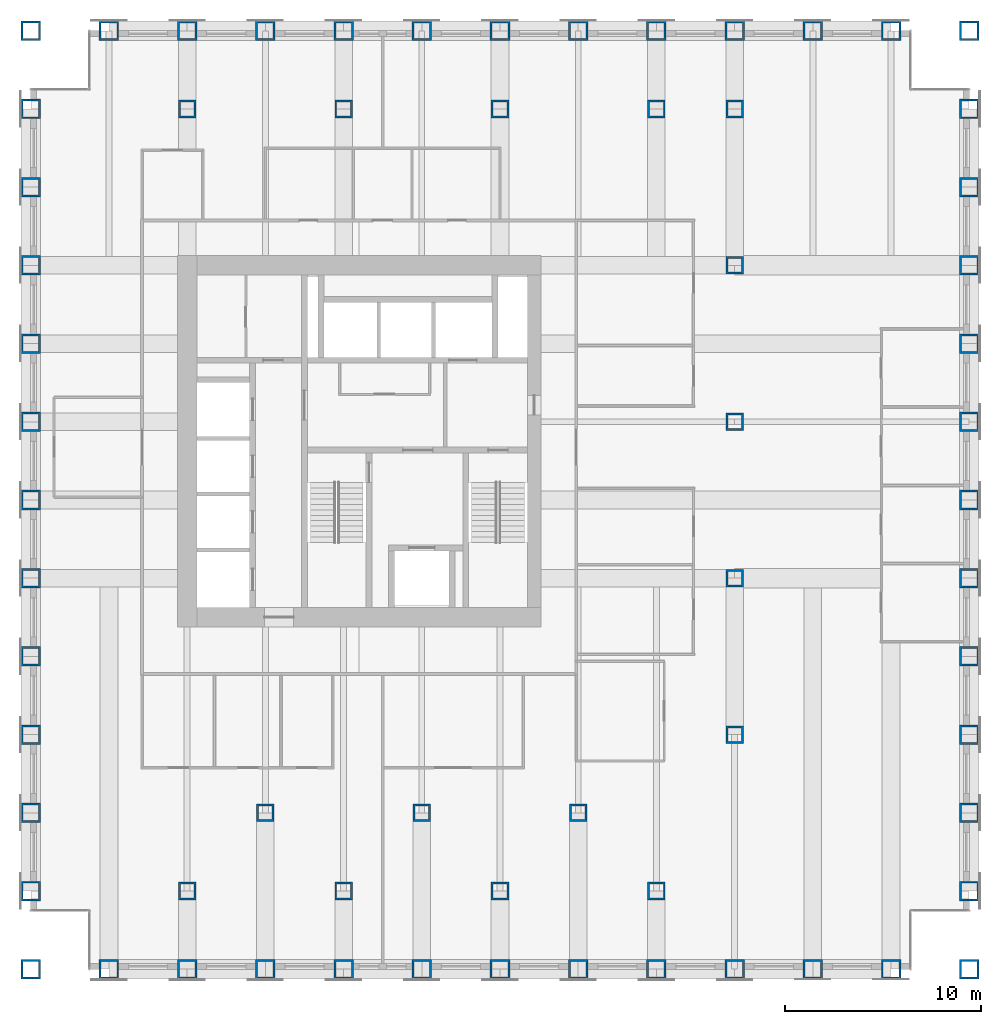
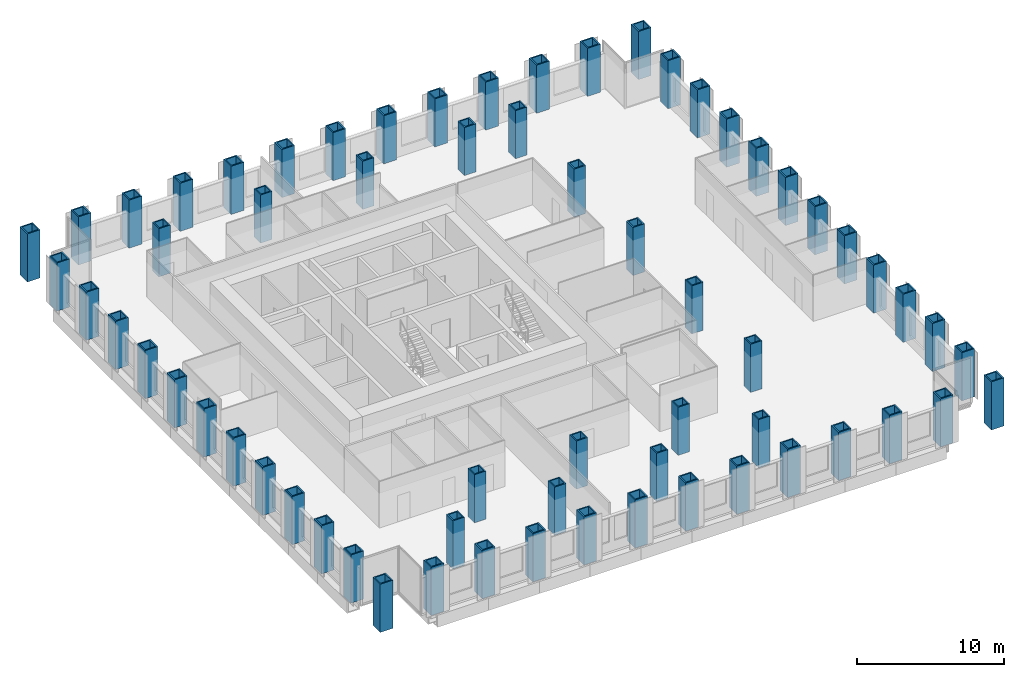
# One storey, part 1 of 16: 64 columns.
"""IFC4 building model written with IfcOpenShell, lengths in metres."""

from ifc_helpers import new_model, si_unit, direction, frame, origin, origin_2d, place, context, subcontext, project, spatial, hollow_rectangle, extrude, material, material_profile, profile_set, type_object, element, save


model = new_model("IFC4")

# Units and contexts
model_context = context("Model", 3, precision=1e-05, world=origin(), true_north=direction((0.0, 1.0)))
body_context = subcontext(model_context, "Body", "Model", "MODEL_VIEW")
ifc_project = project(units=[si_unit("LENGTHUNIT", "METRE"), si_unit("AREAUNIT", "SQUARE_METRE"), si_unit("VOLUMEUNIT", "CUBIC_METRE"), si_unit("PLANEANGLEUNIT", "RADIAN"), si_unit("MASSUNIT", "GRAM", prefix="KILO")], contexts=[model_context])

# Site, building, storey
site_placement = place(None, origin())
site = spatial("IfcSite", under=ifc_project, at=site_placement, CompositionType="ELEMENT")
building_placement = place(site_placement, origin())
building = spatial("IfcBuilding", under=site, at=building_placement, Name="Rimbunsela Tower", CompositionType="ELEMENT")
storey_placement = place(building_placement, frame((0.0, 0.0, 89.39990234375)))
storey = spatial("IfcBuildingStorey", under=building, at=storey_placement, Name="L21", CompositionType="ELEMENT", Elevation=89.39990234375)

# Columns
ifc_material_1 = material(Name="Steel BJ 55 (fy 410 MPa)", Category="steel")
ifc_material_profile_1 = material_profile(ifc_material_1, hollow_rectangle(XDim=1.0, YDim=1.0, WallThickness=0.10009765625, at=origin_2d()), Name="BOX 1000x1000x100")
ifc_profile_set_1 = profile_set([ifc_material_profile_1], Name="Steel BJ 55 (fy 410 MPa)")
column_type_1 = type_object("IfcColumnType", Name="Column BOX 1000x1000x100", PredefinedType="COLUMN", material=ifc_profile_set_1)
for number, where, z_axis, x_axis, name in (
    (1, (10.0, 0.0, 0.0), (0.0, 0.0, 1.0), (1.0, 0.0, 0.0), "Column C1 5/B L21"),
    (2, (10.0, 4.0, 0.0), (0.0, 0.0, 1.0), (1.0, 0.0, 0.0), "Column C1 5/C L21"),
    (3, (10.0, 8.0, 0.0), (0.0, 0.0, 1.0), (1.0, 0.0, 0.0), "Column C1 5/D L21"),
    (4, (10.0, 12.0, 0.0), (0.0, 0.0, 1.0), (1.0, 0.0, 0.0), "Column C1 5/E L21"),
    (5, (10.0, 16.0, 0.0), (0.0, 0.0, 1.0), (1.0, 0.0, 0.0), "Column C1 5/F L21"),
    (6, (10.0, 20.0, 0.0), (0.0, 0.0, 1.0), (1.0, 0.0, 0.0), "Column C1 5/G L21"),
    (7, (10.0, 24.0, 0.0), (0.0, 0.0, 1.0), (1.0, 0.0, 0.0), "Column C1 5/H L21"),
    (8, (10.0, 28.0, 0.0), (0.0, 0.0, 1.0), (1.0, 0.0, 0.0), "Column C1 5/J L21"),
    (9, (10.0, 32.0, 0.0), (0.0, 0.0, 1.0), (1.0, 0.0, 0.0), "Column C1 5/K L21"),
    (10, (10.0, 36.0, 0.0), (0.0, 0.0, 1.0), (1.0, 0.0, 0.0), "Column C1 5/L L21"),
    (11, (10.0, 40.0, 0.0), (0.0, 0.0, 1.0), (1.0, 0.0, 0.0), "Column C1 5/M L21"),
    (12, (10.0, 44.0, 0.0), (0.0, 0.0, 1.0), (1.0, 0.0, 0.0), "Column C1 5/N L21"),
    (13, (10.0, 48.0, 0.0), (0.0, 0.0, 1.0), (1.0, 0.0, 0.0), "Column C1 5/P L21"),
    (14, (14.0, 0.0, 0.0), (0.0, 0.0, 1.0), (1.0, 0.0, 0.0), "Column C1 6/B L21"),
    (15, (14.0, 48.0, 0.0), (0.0, 0.0, 1.0), (1.0, 0.0, 0.0), "Column C1 6/P L21"),
    (16, (18.0, 0.0, 0.0), (0.0, 0.0, 1.0), (1.0, 0.0, 0.0), "Column C1 7/B L21"),
    (17, (18.0, 48.0, 0.0), (0.0, 0.0, 1.0), (1.0, 0.0, 0.0), "Column C1 7/P L21"),
    (18, (22.0, 0.0, 0.0), (0.0, 0.0, 1.0), (1.0, 0.0, 0.0), "Column C1 8/B L21"),
    (19, (22.0, 48.0, 0.0), (0.0, 0.0, 1.0), (1.0, 0.0, 0.0), "Column C1 8/P L21"),
    (20, (26.0, 0.0, 0.0), (0.0, 0.0, 1.0), (1.0, 0.0, 0.0), "Column C1 9/B L21"),
    (21, (26.0, 48.0, 0.0), (0.0, 0.0, 1.0), (1.0, 0.0, 0.0), "Column C1 9/P L21"),
    (22, (30.0, 0.0, 0.0), (0.0, 0.0, 1.0), (1.0, 0.0, 0.0), "Column C1 10/B L21"),
    (23, (30.0, 48.0, 0.0), (0.0, 0.0, 1.0), (1.0, 0.0, 0.0), "Column C1 10/P L21"),
    (24, (34.0, 0.0, 0.0), (0.0, 0.0, 1.0), (1.0, 0.0, 0.0), "Column C1 11/B L21"),
    (25, (34.0, 48.0, 0.0), (0.0, 0.0, 1.0), (1.0, 0.0, 0.0), "Column C1 11/P L21"),
    (26, (38.0, 0.0, 0.0), (0.0, 0.0, 1.0), (1.0, 0.0, 0.0), "Column C1 12/B L21"),
    (27, (38.0, 48.0, 0.0), (0.0, 0.0, 1.0), (1.0, 0.0, 0.0), "Column C1 12/P L21"),
    (28, (42.0, 0.0, 0.0), (0.0, 0.0, 1.0), (1.0, 0.0, 0.0), "Column C1 13/B L21"),
    (29, (42.0, 48.0, 0.0), (0.0, 0.0, 1.0), (1.0, 0.0, 0.0), "Column C1 13/P L21"),
    (30, (46.0, 0.0, 0.0), (0.0, 0.0, 1.0), (1.0, 0.0, 0.0), "Column C1 14/B L21"),
    (31, (46.0, 48.0, 0.0), (0.0, 0.0, 1.0), (1.0, 0.0, 0.0), "Column C1 14/P L21"),
    (32, (50.0, 0.0, 0.0), (0.0, 0.0, 1.0), (1.0, 0.0, 0.0), "Column C1 15/B L21"),
    (33, (50.0, 48.0, 0.0), (0.0, 0.0, 1.0), (1.0, 0.0, 0.0), "Column C1 15/P L21"),
    (34, (54.0, 0.0, 0.0), (0.0, 0.0, 1.0), (1.0, 0.0, 0.0), "Column C1 16/B L21"),
    (35, (54.0, 48.0, 0.0), (0.0, 0.0, 1.0), (1.0, 0.0, 0.0), "Column C1 16/P L21"),
    (36, (58.0, 0.0, 0.0), (0.0, 0.0, 1.0), (1.0, 0.0, 0.0), "Column C1 17/B L21"),
    (37, (58.0, 4.0, 0.0), (0.0, 0.0, 1.0), (1.0, 0.0, 0.0), "Column C1 17/C L21"),
    (38, (58.0, 8.0, 0.0), (0.0, 0.0, 1.0), (1.0, 0.0, 0.0), "Column C1 17/D L21"),
    (39, (58.0, 12.0, 0.0), (0.0, 0.0, 1.0), (1.0, 0.0, 0.0), "Column C1 17/E L21"),
    (40, (58.0, 16.0, 0.0), (0.0, 0.0, 1.0), (1.0, 0.0, 0.0), "Column C1 17/F L21"),
    (41, (58.0, 20.0, 0.0), (0.0, 0.0, 1.0), (1.0, 0.0, 0.0), "Column C1 17/G L21"),
    (42, (58.0, 24.0, 0.0), (0.0, 0.0, 1.0), (1.0, 0.0, 0.0), "Column C1 17/H L21"),
    (43, (58.0, 28.0, 0.0), (0.0, 0.0, 1.0), (1.0, 0.0, 0.0), "Column C1 17/J L21"),
    (44, (58.0, 32.0, 0.0), (0.0, 0.0, 1.0), (1.0, 0.0, 0.0), "Column C1 17/K L21"),
    (45, (58.0, 36.0, 0.0), (0.0, 0.0, 1.0), (1.0, 0.0, 0.0), "Column C1 17/L L21"),
    (46, (58.0, 40.0, 0.0), (0.0, 0.0, 1.0), (1.0, 0.0, 0.0), "Column C1 17/M L21"),
    (47, (58.0, 44.0, 0.0), (0.0, 0.0, 1.0), (1.0, 0.0, 0.0), "Column C1 17/N L21"),
    (48, (58.0, 48.0, 0.0), (0.0, 0.0, 1.0), (1.0, 0.0, 0.0), "Column C1 17/P L21"),
):
    element("IfcColumn", number, at=place(storey_placement, frame(where, z_axis=z_axis, x_axis=x_axis)), inside=storey, type_object=column_type_1, Name=name, PredefinedType="COLUMN", context=body_context, shape_type="SweptSolid", body=[
        extrude(hollow_rectangle(XDim=1.0, YDim=1.0, WallThickness=0.10009765625, at=origin_2d()), origin(), (0.0, 0.0, 1.0), 4.0),
    ])
ifc_material_2 = material(Name="Steel BJ 55 (fy 410 MPa)", Category="steel")
ifc_material_profile_2 = material_profile(ifc_material_2, hollow_rectangle(XDim=0.89990234375, YDim=0.89990234375, WallThickness=0.10009765625, at=origin_2d()), Name="BOX 900x900x100")
ifc_profile_set_2 = profile_set([ifc_material_profile_2], Name="Steel BJ 55 (fy 410 MPa)")
column_type_2 = type_object("IfcColumnType", Name="Column BOX 900x900x100", PredefinedType="COLUMN", material=ifc_profile_set_2)
for number, where, z_axis, x_axis, name in (
    (49, (18.0, 4.0, 0.0), (0.0, 0.0, 1.0), (1.0, 0.0, 0.0), "Column C5 7/C L21"),
    (50, (18.0, 44.0, 0.0), (0.0, 0.0, 1.0), (1.0, 0.0, 0.0), "Column C5 7/N L21"),
    (51, (22.0, 8.0, 0.0), (0.0, 0.0, 1.0), (1.0, 0.0, 0.0), "Column C5 8/D L21"),
    (52, (26.0, 4.0, 0.0), (0.0, 0.0, 1.0), (1.0, 0.0, 0.0), "Column C5 9/C L21"),
    (53, (26.0, 44.0, 0.0), (0.0, 0.0, 1.0), (1.0, 0.0, 0.0), "Column C5 9/N L21"),
    (54, (30.0, 8.0, 0.0), (0.0, 0.0, 1.0), (1.0, 0.0, 0.0), "Column C5 10/D L21"),
    (55, (34.0, 4.0, 0.0), (0.0, 0.0, 1.0), (1.0, 0.0, 0.0), "Column C5 11/C L21"),
    (56, (34.0, 44.0, 0.0), (0.0, 0.0, 1.0), (1.0, 0.0, 0.0), "Column C5 11/N L21"),
    (57, (38.0, 8.0, 0.0), (0.0, 0.0, 1.0), (1.0, 0.0, 0.0), "Column C5 12/D L21"),
    (58, (42.0, 4.0, 0.0), (0.0, 0.0, 1.0), (1.0, 0.0, 0.0), "Column C5 13/C L21"),
    (59, (42.0, 44.0, 0.0), (0.0, 0.0, 1.0), (1.0, 0.0, 0.0), "Column C5 13/N L21"),
    (60, (46.0, 12.0, 0.0), (0.0, 0.0, 1.0), (1.0, 0.0, 0.0), "Column C5 14/E L21"),
    (61, (46.0, 20.0, 0.0), (0.0, 0.0, 1.0), (1.0, 0.0, 0.0), "Column C5 14/G L21"),
    (62, (46.0, 28.0, 0.0), (0.0, 0.0, 1.0), (1.0, 0.0, 0.0), "Column C5 14/J L21"),
    (63, (46.0, 36.0, 0.0), (0.0, 0.0, 1.0), (1.0, 0.0, 0.0), "Column C5 14/L L21"),
    (64, (46.0, 44.0, 0.0), (0.0, 0.0, 1.0), (1.0, 0.0, 0.0), "Column C5 14/N L21"),
):
    element("IfcColumn", number, at=place(storey_placement, frame(where, z_axis=z_axis, x_axis=x_axis)), inside=storey, type_object=column_type_2, Name=name, PredefinedType="COLUMN", context=body_context, shape_type="SweptSolid", body=[
        extrude(hollow_rectangle(XDim=0.89990234375, YDim=0.89990234375, WallThickness=0.10009765625, at=origin_2d()), origin(), (0.0, 0.0, 1.0), 4.0),
    ])

save(model, "model.ifc")
